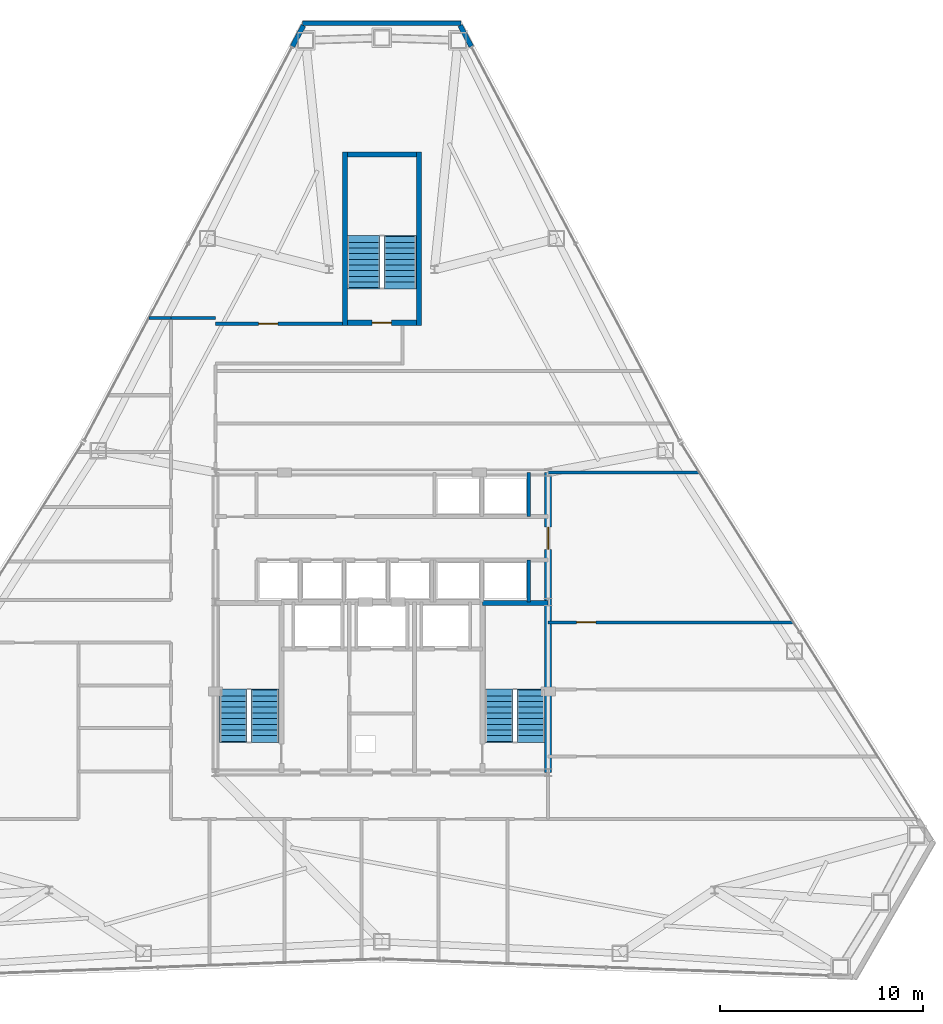
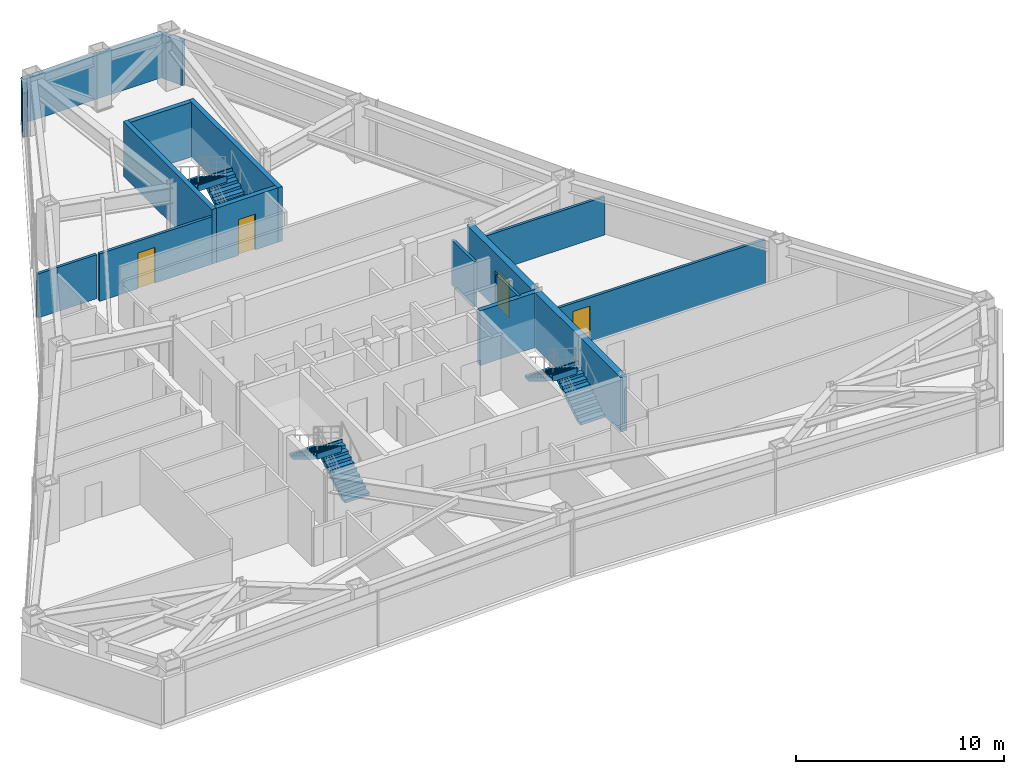
# One storey, part 12 of 13: 16 walls, 6 stair flights, 4 doors, 4 openings, 3 elements without a shape of their own.
"""IFC4 building model written with IfcOpenShell, lengths in metres."""

import ifcopenshell
import ifcopenshell.guid

model = None  # the IFC model being written
_history = None  # IfcOwnerHistory: only IFC2X3 demands one
_inside = {}  # id of a spatial element -> (the spatial element, [elements in it])
_under = {}  # id of a project, library or spatial element -> (it, [spatial elements below it])
_declared = {}  # id of a project -> (the project, [libraries it declares])
_typed = {}  # id of a type object -> (the type object, [elements of that type])
_made_of = {}  # id of a material, layer set ... -> (it, [elements and type objects made of it])


def new_model(schema):
    """Start an empty IFC model of exactly this schema.

    Asked for "IFC4X3", IfcOpenShell would pick the latest addendum, in which some entities
    have other attributes; the version numbers below select the first issue.
    IFC2X3 requires an IfcOwnerHistory on every rooted entity: one is made here for all.
    """
    global model, _history
    if schema == "IFC4X3":
        model = ifcopenshell.file(schema_version=(4, 3, 0, 0))
    else:
        model = ifcopenshell.file(schema=schema)
    _inside.clear()
    _under.clear()
    _declared.clear()
    _typed.clear()
    _made_of.clear()
    _history = None
    if model.schema == "IFC2X3":
        org = make("IfcOrganization", Name="unknown")
        user = make(
            "IfcPersonAndOrganization",
            ThePerson=make("IfcPerson", FamilyName="unknown"),
            TheOrganization=org,
        )
        app = make(
            "IfcApplication",
            ApplicationDeveloper=org,
            Version="unknown",
            ApplicationFullName="unknown",
            ApplicationIdentifier="unknown",
        )
        _history = make(
            "IfcOwnerHistory",
            OwningUser=user,
            OwningApplication=app,
            ChangeAction="ADDED",
            CreationDate=0,
        )
    return model


def make(cls, **values):
    """One entity of the class cls with the attributes given. An attribute that is None is left unset."""
    return model.create_entity(
        cls, **{name: value for name, value in values.items() if value is not None}
    )


def rooted(cls, **values):
    """An entity with a GlobalId (a new one), such as an element, a storey or a relation."""
    return make(cls, GlobalId=ifcopenshell.guid.new(), OwnerHistory=_history, **values)


def si_unit(unit_type, name, prefix=None):
    """IfcSIUnit, for example si_unit("LENGTHUNIT", "METRE", prefix="MILLI")."""
    return make("IfcSIUnit", UnitType=unit_type, Prefix=prefix, Name=name)


def assignment(units):
    """IfcUnitAssignment: the units of a project."""
    return None if units is None else make("IfcUnitAssignment", Units=units)


def point(xyz):
    """IfcCartesianPoint."""
    return None if xyz is None else make("IfcCartesianPoint", Coordinates=xyz)


def direction(xyz):
    """IfcDirection."""
    return None if xyz is None else make("IfcDirection", DirectionRatios=xyz)


def frame(location, z_axis=None, x_axis=None):
    """IfcAxis2Placement3D, a coordinate frame: its origin and axes. An axis left out is left unset."""
    return make(
        "IfcAxis2Placement3D",
        Location=point(location),
        Axis=direction(z_axis),
        RefDirection=direction(x_axis),
    )


def frame_2d(location, x_axis=None):
    """IfcAxis2Placement2D, a coordinate frame in the plane: its origin and x axis."""
    return make(
        "IfcAxis2Placement2D", Location=point(location), RefDirection=direction(x_axis)
    )


def origin():
    """The frame at (0, 0, 0) with its axes left unset."""
    return frame((0.0, 0.0, 0.0))


def place(relative_to, where):
    """IfcLocalPlacement: puts the frame where relative to a parent placement (None: the world)."""
    return make(
        "IfcLocalPlacement", PlacementRelTo=relative_to, RelativePlacement=where
    )


def context(
    kind, dimensions, precision=None, world=None, true_north=None, identifier=None
):
    """IfcGeometricRepresentationContext, for example the 3D "Model" context."""
    return make(
        "IfcGeometricRepresentationContext",
        ContextIdentifier=identifier,
        ContextType=kind,
        CoordinateSpaceDimension=dimensions,
        Precision=precision,
        WorldCoordinateSystem=world,
        TrueNorth=true_north,
    )


def subcontext(parent, identifier, kind, view, scale=None):
    """IfcGeometricRepresentationSubContext, for example "Body" below "Model"."""
    return make(
        "IfcGeometricRepresentationSubContext",
        ContextIdentifier=identifier,
        ContextType=kind,
        ParentContext=parent,
        TargetScale=scale,
        TargetView=view,
    )


def project(units=None, contexts=None):
    """IfcProject with its units and contexts."""
    return rooted(
        "IfcProject",
        Name="project",
        RepresentationContexts=contexts,
        UnitsInContext=assignment(units),
    )


def spatial(cls, under=None, at=None, **own):
    """A site, building, storey or space (cls), placed at a placement, below another one or the project."""
    s = rooted(cls, ObjectPlacement=at, **own)
    if under is not None:
        _under.setdefault(under.id(), (under, []))[1].append(s)
    return s


def polyline(points):
    """IfcPolyline through the points."""
    return make("IfcPolyline", Points=[point(p) for p in points])


def profile(cls, at=None, kind="AREA", **sizes):
    """A parametric profile (cls). Its sizes go by their IFC names, for example OverallWidth=200.0."""
    return make(cls, ProfileType=kind, Position=at, **sizes)


def rectangle(**sizes):
    """IfcRectangleProfileDef."""
    return profile("IfcRectangleProfileDef", **sizes)


def outline(outer, holes=None, kind="AREA"):
    """IfcArbitraryClosedProfileDef: a profile drawn as a closed curve; with holes, ...WithVoids."""
    if holes is None:
        return make("IfcArbitraryClosedProfileDef", ProfileType=kind, OuterCurve=outer)
    return make(
        "IfcArbitraryProfileDefWithVoids",
        ProfileType=kind,
        OuterCurve=outer,
        InnerCurves=holes,
    )


def extrude(swept, where, along, depth):
    """IfcExtrudedAreaSolid: the profile swept, set in the frame where, extruded along a direction by depth."""
    return make(
        "IfcExtrudedAreaSolid",
        SweptArea=swept,
        Position=where,
        ExtrudedDirection=direction(along),
        Depth=depth,
    )


def shape(context_of_items, identifier, shape_type, items):
    """IfcShapeRepresentation: the items that make up one representation, for example the "Body"."""
    return make(
        "IfcShapeRepresentation",
        ContextOfItems=context_of_items,
        RepresentationIdentifier=identifier,
        RepresentationType=shape_type,
        Items=items,
    )


def material(Name=None, Category=None):
    """IfcMaterial."""
    return make("IfcMaterial", Name=Name, Category=Category)


def layer(
    of_material, thickness, ventilated=None, Name=None, Category=None, Priority=None
):
    """IfcMaterialLayer: one layer of a wall or slab, of a material (None: an air gap)."""
    return make(
        "IfcMaterialLayer",
        Material=of_material,
        LayerThickness=thickness,
        IsVentilated=ventilated,
        Name=Name,
        Category=Category,
        Priority=Priority,
    )


def layer_set(layers, Name=None):
    """IfcMaterialLayerSet."""
    return make("IfcMaterialLayerSet", MaterialLayers=layers, LayerSetName=Name)


def made_of(thing, what):
    """Note that an element or type object is made of a material, layer set ...; save() writes the relation."""
    if what is not None:
        _made_of.setdefault(what.id(), (what, []))[1].append(thing)
    return thing


def type_object(cls, material=None, **own):
    """A type object (cls), such as IfcWallType, which elements share."""
    return made_of(rooted(cls, **own), material)


def element(
    cls,
    number,
    at=None,
    inside=None,
    cuts=None,
    type_object=None,
    material=None,
    context=None,
    identifier="Body",
    shape_type=None,
    held_by="IfcProductDefinitionShape",
    body=None,
    shapes=None,
    **own,
):
    """One element of the class cls, such as IfcWall. Its Tag is "e" and its number.

    at: its placement. inside: the storey or other place that contains it. cuts: it is an
    opening in that element (IfcRelVoidsElement). A single representation is given by context,
    identifier, shape_type and body (its items); several are given by shapes. held_by: the class
    of the entity that holds the representations. save() writes the other relations.
    """
    e = rooted(cls, Tag="e%d" % number, ObjectPlacement=at, **own)
    if body is not None:
        shapes = [shape(context, identifier, shape_type, body)]
    if shapes is not None:
        e.Representation = make(held_by, Representations=shapes)
    if inside is not None:
        _inside.setdefault(inside.id(), (inside, []))[1].append(e)
    if cuts is not None:
        rooted(
            "IfcRelVoidsElement", RelatingBuildingElement=cuts, RelatedOpeningElement=e
        )
    if type_object is not None:
        _typed.setdefault(type_object.id(), (type_object, []))[1].append(e)
    return made_of(e, material)


def fill(opening, filler):
    """IfcRelFillsElement: the door or window that sits in an opening."""
    return rooted(
        "IfcRelFillsElement",
        RelatingOpeningElement=opening,
        RelatedBuildingElement=filler,
    )


def aggregate(whole, parts):
    """IfcRelAggregates: a whole, such as a stair, and the parts it consists of."""
    return rooted("IfcRelAggregates", RelatingObject=whole, RelatedObjects=parts)


def save(model, path):
    """Write the relations noted so far, then the file.

    IfcRelAggregates (storeys below a building ...), IfcRelContainedInSpatialStructure (elements
    in a storey), IfcRelDefinesByType, IfcRelAssociatesMaterial and IfcRelDeclares: one each for
    every whole, place, type object, material and project.
    """
    for whole, parts in _under.values():
        aggregate(whole, parts)
    for where, things in _inside.values():
        rooted(
            "IfcRelContainedInSpatialStructure",
            RelatedElements=things,
            RelatingStructure=where,
        )
    for kind, things in _typed.values():
        rooted("IfcRelDefinesByType", RelatedObjects=things, RelatingType=kind)
    for what, things in _made_of.values():
        rooted("IfcRelAssociatesMaterial", RelatedObjects=things, RelatingMaterial=what)
    for by, libraries in _declared.values():
        rooted("IfcRelDeclares", RelatingContext=by, RelatedDefinitions=libraries)
    model.write(path)


model = new_model("IFC4")

# Units and contexts
model_context = context("Model", 3, precision=1e-05, world=origin(), true_north=direction((0.0, 1.0)))
body_context = subcontext(model_context, "Body", "Model", "MODEL_VIEW")
ifc_project = project(units=[si_unit("LENGTHUNIT", "METRE"), si_unit("AREAUNIT", "SQUARE_METRE"), si_unit("VOLUMEUNIT", "CUBIC_METRE"), si_unit("PLANEANGLEUNIT", "RADIAN"), si_unit("MASSUNIT", "GRAM", prefix="KILO")], contexts=[model_context])

# Site, building, storey
site_placement = place(None, origin())
site = spatial("IfcSite", under=ifc_project, at=site_placement, CompositionType="ELEMENT")
building_placement = place(site_placement, origin())
building = spatial("IfcBuilding", under=site, at=building_placement, Name="Varakhsha Concourse Tower", CompositionType="ELEMENT")
storey_placement = place(building_placement, frame((0.0, 0.0, 172.35009765625)))
storey = spatial("IfcBuildingStorey", under=building, at=storey_placement, Name="L49", CompositionType="ELEMENT", Elevation=172.35009765625)

# Wall, opening, door
ifc_material_1 = material(Name="Concrete fc 65 MPa", Category="concrete")
ifc_layer_1 = layer(ifc_material_1, 0.35009765625, Name="WL-CORE-350")
ifc_layer_set_1 = layer_set([ifc_layer_1], Name="Concrete fc 65 MPa")
wall_type_1 = type_object("IfcWallType", Name="WL-CORE-350", PredefinedType="SHEAR", material=ifc_layer_set_1)
wall_1_placement = place(storey_placement, frame((48.199951171875, 16.39990234375, 0.0), z_axis=(0.0, 0.0, 1.0), x_axis=(0.0, 1.0, 0.0)))
wall_1 = element("IfcWall", 1, at=wall_1_placement, inside=storey, type_object=wall_type_1, Name="L49 Wall CWALL-E-L49", PredefinedType="SHEAR", context=body_context, shape_type="SweptSolid", body=[
    extrude(rectangle(XDim=14.800048828125, YDim=0.35009765625, at=frame_2d((7.39990234375, 0.0))), origin(), (0.0, 0.0, 1.0), 3.2099609375),
])
opening_1_placement = place(wall_1_placement, frame((11.0, 0.0, 0.0)))
opening_1 = element("IfcOpeningElement", 2, at=opening_1_placement, cuts=wall_1, Name="Opening DL-01", PredefinedType="OPENING", context=body_context, shape_type="SweptSolid", body=[
    extrude(rectangle(XDim=1.10009765625, YDim=2.14990234375, at=frame_2d((0.550048828125, 1.074951171875))), frame((0.0, 0.18505859375, 0.0), z_axis=(0.0, -1.0, 0.0), x_axis=(1.0, 0.0, 0.0)), (0.0, 0.0, 1.0), 0.3701171875),
])
ifc_material_2 = material(Name="Anodised Bronze Architectural Aluminium AA 6063-T6", Category="aluminium")
door_type_1 = type_object("IfcDoorType", Name="DR-LOB-1100", OperationType="NOTDEFINED", PredefinedType="DOOR", material=ifc_material_2)
door_1_placement = place(opening_1_placement, origin())
door_1 = element("IfcDoor", 3, at=door_1_placement, inside=storey, type_object=door_type_1, Name="L49 Lift Lobby East Concourse Door", OperationType="SINGLE_SWING_RIGHT", OverallHeight=2.14990234375, OverallWidth=1.10009765625, PredefinedType="DOOR", context=body_context, shape_type="SweptSolid", body=[
    extrude(rectangle(XDim=1.10009765625, YDim=2.14990234375, at=frame_2d((0.550048828125, 1.074951171875))), frame((0.0, 0.02490234375, 0.0), z_axis=(0.0, -1.0, 0.0), x_axis=(1.0, 0.0, 0.0)), (0.0, 0.0, 1.0), 0.050048828125),
])
fill(opening_1, door_1)

# Walls
ifc_material_3 = material(Name="Concrete fc 45 MPa", Category="concrete")
ifc_layer_2 = layer(ifc_material_3, 0.239990234375, Name="WL-EXT-CRN-240")
ifc_layer_set_2 = layer_set([ifc_layer_2], Name="Concrete fc 45 MPa")
wall_type_2 = type_object("IfcWallType", Name="WL-EXT-CRN-240", PredefinedType="SHEAR", material=ifc_layer_set_2)
wall_2_placement = place(storey_placement, frame((36.10009765625, 53.33837890625, 0.0), z_axis=(0.0, 0.0, 1.0), x_axis=(1.0, 0.0, 0.0)))
element("IfcWall", 4, at=wall_2_placement, inside=storey, type_object=wall_type_2, Name="L49 Chamfer Wind-Corner Insulated Wall F1", PredefinedType="SHEAR", context=body_context, shape_type="SweptSolid", body=[
    extrude(rectangle(XDim=7.7998046875, YDim=0.239990234375, at=frame_2d((3.89990234375, 0.0))), origin(), (0.0, 0.0, 1.0), 2.5830078125),
])
for number, where, z_axis, x_axis, name in (
    (5, (36.138671875, 53.22900390625, 0.0), (0.0, 0.0, 1.0), (-0.467176557234, -0.884164048337, 0.0), "L49 Wind-Corner Shoulder Wall F2"),
    (6, (44.40673828125, 52.19677734375, 0.0), (0.0, 0.0, 1.0), (-0.467176557234, 0.884164048337, 0.0), "L49 Wind-Corner Shoulder Wall F9"),
):
    element("IfcWall", number, at=place(storey_placement, frame(where, z_axis=z_axis, x_axis=x_axis)), inside=storey, type_object=wall_type_2, Name=name, PredefinedType="SHEAR", context=body_context, shape_type="SweptSolid", body=[
        extrude(rectangle(XDim=1.16748046875, YDim=0.239990234375, at=frame_2d((0.583740234375, 0.0))), origin(), (0.0, 0.0, 1.0), 2.5830078125),
    ])
ifc_material_4 = material(Name="Fire-Rated Type X Gypsum Partition Assembly", Category="gypsum")
ifc_layer_3 = layer(ifc_material_4, 0.14990234375, Name="WL-PART-150")
ifc_layer_set_3 = layer_set([ifc_layer_3], Name="Fire-Rated Type X Gypsum Partition Assembly")
wall_type_3 = type_object("IfcWallType", Name="WL-PART-150", PredefinedType="PARTITIONING", material=ifc_layer_set_3)
wall_3_placement = place(storey_placement, frame((29.60009765625, 38.800048828125, 0.0), z_axis=(0.0, 0.0, 1.0), x_axis=(1.0, 0.0, 0.0)))
element("IfcWall", 7, at=wall_3_placement, inside=storey, type_object=wall_type_3, Name="L49 Wall CRW-NCAP-L49", PredefinedType="PARTITIONING", context=body_context, shape_type="SweptSolid", body=[
    extrude(rectangle(XDim=2.199951171875, YDim=0.14990234375, at=frame_2d((1.10009765625, 0.0))), origin(), (0.0, 0.0, 1.0), 2.5888671875),
])
wall_4_placement = place(storey_placement, frame((28.51806640625, 38.800048828125, 0.0), z_axis=(0.0, 0.0, 1.0), x_axis=(1.0, 0.0, 0.0)))
element("IfcWall", 8, at=wall_4_placement, inside=storey, type_object=wall_type_3, Name="L49 Wall ODIV-NWT-L49", PredefinedType="PARTITIONING", context=body_context, shape_type="SweptSolid", body=[
    extrude(rectangle(XDim=1.08203125, YDim=0.14990234375, at=frame_2d((0.541015625, 0.0))), origin(), (0.0, 0.0, 1.0), 2.5888671875),
])
wall_5_placement = place(storey_placement, frame((48.199951171875, 31.199951171875, 0.0), z_axis=(0.0, 0.0, 1.0), x_axis=(1.0, 0.0, 0.0)))
element("IfcWall", 9, at=wall_5_placement, inside=storey, type_object=wall_type_3, Name="L49 Wall ODIV-NEB-L49", PredefinedType="PARTITIONING", context=body_context, shape_type="SweptSolid", body=[
    extrude(rectangle(XDim=7.44775390625, YDim=0.14990234375, at=frame_2d((3.723876953125, 0.0))), origin(), (0.0, 0.0, 1.0), 2.251953125),
])

# Wall, opening, door
wall_6_placement = place(storey_placement, frame((48.199951171875, 23.800048828125, 0.0), z_axis=(0.0, 0.0, 1.0), x_axis=(1.0, 0.0, 0.0)))
wall_6 = element("IfcWall", 10, at=wall_6_placement, inside=storey, type_object=wall_type_3, Name="L49 Wall ODIV-E3-L49", PredefinedType="PARTITIONING", context=body_context, shape_type="SweptSolid", body=[
    extrude(rectangle(XDim=12.097412109375, YDim=0.14990234375, at=frame_2d((6.048828125, 0.0))), origin(), (0.0, 0.0, 1.0), 2.5888671875),
])
opening_2_placement = place(wall_6_placement, frame((1.39990234375, 0.0, 0.0)))
opening_2 = element("IfcOpeningElement", 11, at=opening_2_placement, cuts=wall_6, Name="Opening DF-05", PredefinedType="OPENING", context=body_context, shape_type="SweptSolid", body=[
    extrude(rectangle(XDim=0.949951171875, YDim=2.10009765625, at=frame_2d((0.47509765625, 1.050048828125))), frame((0.0, 0.0849609375, 0.0), z_axis=(0.0, -1.0, 0.0), x_axis=(1.0, 0.0, 0.0)), (0.0, 0.0, 1.0), 0.169921875),
])
ifc_material_5 = material(Name="Hollow Galvanised Steel Fire Door Assembly", Category="steel")
door_type_2 = type_object("IfcDoorType", Name="DR-FD60-950", OperationType="NOTDEFINED", PredefinedType="DOOR", material=ifc_material_5)
door_2_placement = place(opening_2_placement, origin())
door_2 = element("IfcDoor", 12, at=door_2_placement, inside=storey, type_object=door_type_2, Name="L49 East Suite Interconnect Door 3", OperationType="SINGLE_SWING_LEFT", OverallHeight=2.10009765625, OverallWidth=0.949951171875, PredefinedType="DOOR", context=body_context, shape_type="SweptSolid", body=[
    extrude(rectangle(XDim=0.949951171875, YDim=2.10009765625, at=frame_2d((0.47509765625, 1.050048828125))), frame((0.0, 0.02490234375, 0.0), z_axis=(0.0, -1.0, 0.0), x_axis=(1.0, 0.0, 0.0)), (0.0, 0.0, 1.0), 0.050048828125),
])
fill(opening_2, door_2)

wall_7_placement = place(storey_placement, frame((31.800048828125, 38.52490234375, 0.0), z_axis=(0.0, 0.0, 1.0), x_axis=(1.0, 0.0, 0.0)))
wall_7 = element("IfcWall", 13, at=wall_7_placement, inside=storey, type_object=wall_type_3, Name="L49 Wall STLK-N-L49", PredefinedType="PARTITIONING", context=body_context, shape_type="SweptSolid", body=[
    extrude(rectangle(XDim=6.25, YDim=0.14990234375, at=frame_2d((3.125, 0.0))), origin(), (0.0, 0.0, 1.0), 2.79296875),
])
opening_3_placement = place(wall_7_placement, frame((2.125, 0.0, 0.0)))
opening_3 = element("IfcOpeningElement", 14, at=opening_3_placement, cuts=wall_7, Name="Opening DF-05", PredefinedType="OPENING", context=body_context, shape_type="SweptSolid", body=[
    extrude(rectangle(XDim=0.949951171875, YDim=2.10009765625, at=frame_2d((0.47509765625, 1.050048828125))), frame((0.0, 0.0849609375, 0.0), z_axis=(0.0, -1.0, 0.0), x_axis=(1.0, 0.0, 0.0)), (0.0, 0.0, 1.0), 0.169921875),
])
door_3_placement = place(opening_3_placement, origin())
door_3 = element("IfcDoor", 15, at=door_3_placement, inside=storey, type_object=door_type_2, Name="L49 Apex Senior Partner Chamber L49-NE3 Door", OperationType="SINGLE_SWING_RIGHT", OverallHeight=2.10009765625, OverallWidth=0.949951171875, PredefinedType="DOOR", context=body_context, shape_type="SweptSolid", body=[
    extrude(rectangle(XDim=0.949951171875, YDim=2.10009765625, at=frame_2d((0.47509765625, 1.050048828125))), frame((0.0, 0.02490234375, 0.0), z_axis=(0.0, -1.0, 0.0), x_axis=(1.0, 0.0, 0.0)), (0.0, 0.0, 1.0), 0.050048828125),
])
fill(opening_3, door_3)

# Walls
ifc_layer_4 = layer(ifc_material_4, 0.199951171875, Name="WL-SHAFT-220")
ifc_layer_set_4 = layer_set([ifc_layer_4], Name="Fire-Rated Type X Gypsum Partition Assembly")
wall_type_4 = type_object("IfcWallType", Name="WL-SHAFT-220", PredefinedType="SOLIDWALL", material=ifc_layer_set_4)
wall_8_placement = place(storey_placement, frame((47.239990234375, 29.02001953125, 0.0), z_axis=(0.0, 0.0, 1.0), x_axis=(0.0, 1.0, 0.0)))
element("IfcWall", 16, at=wall_8_placement, inside=storey, type_object=wall_type_4, Name="L49 Wall SHW-LF-P10-E-L49", PredefinedType="SOLIDWALL", context=body_context, shape_type="SweptSolid", body=[
    extrude(rectangle(XDim=2.179931640625, YDim=0.159912109375, at=frame_2d((1.08984375, 0.0))), origin(), (0.0, 0.0, 1.0), 2.664794921875),
])
wall_9_placement = place(storey_placement, frame((47.239990234375, 24.800048828125, 0.0), z_axis=(0.0, 0.0, 1.0), x_axis=(0.0, 1.0, 0.0)))
element("IfcWall", 17, at=wall_9_placement, inside=storey, type_object=wall_type_4, Name="L49 Wall SHW-LF-P12-E-L49", PredefinedType="SOLIDWALL", context=body_context, shape_type="SweptSolid", body=[
    extrude(rectangle(XDim=2.079833984375, YDim=0.159912109375, at=frame_2d((1.0400390625, 0.0))), origin(), (0.0, 0.0, 1.0), 3.2099609375),
])
ifc_layer_5 = layer(ifc_material_3, 0.25, Name="WL-STAIR-250")
ifc_layer_set_5 = layer_set([ifc_layer_5], Name="Concrete fc 45 MPa")
wall_type_5 = type_object("IfcWallType", Name="WL-STAIR-250", PredefinedType="SHEAR", material=ifc_layer_set_5)
wall_10_placement = place(storey_placement, frame((44.955078125, 24.7548828125, 0.0), z_axis=(0.0, 0.0, 1.0), x_axis=(1.0, 0.0, 0.0)))
element("IfcWall", 18, at=wall_10_placement, inside=storey, type_object=wall_type_5, Name="L49 Wall SWALL-ST2-N-L49", PredefinedType="SHEAR", context=body_context, shape_type="SweptSolid", body=[
    extrude(rectangle(XDim=3.244873046875, YDim=0.25, at=frame_2d((1.62255859375, 0.0))), origin(), (0.0, 0.0, 1.0), 3.2099609375),
])
for number, where, z_axis, x_axis, name in (
    (19, (38.175048828125, 38.449951171875, 0.0), (0.0, 0.0, 1.0), (0.0, 1.0, 0.0), "L49 Wall SWALL-ST5-W-L49"),
    (20, (41.824951171875, 38.449951171875, 0.0), (0.0, 0.0, 1.0), (0.0, 1.0, 0.0), "L49 Wall SWALL-ST5-E-L49"),
):
    element("IfcWall", number, at=place(storey_placement, frame(where, z_axis=z_axis, x_axis=x_axis)), inside=storey, type_object=wall_type_5, Name=name, PredefinedType="SHEAR", context=body_context, shape_type="SweptSolid", body=[
        extrude(rectangle(XDim=8.550048828125, YDim=0.25, at=frame_2d((4.27490234375, 0.0))), origin(), (0.0, 0.0, 1.0), 3.2099609375),
    ])

# Wall, opening, door
wall_11_placement = place(storey_placement, frame((38.300048828125, 38.574951171875, 0.0), z_axis=(0.0, 0.0, 1.0), x_axis=(1.0, 0.0, 0.0)))
wall_11 = element("IfcWall", 21, at=wall_11_placement, inside=storey, type_object=wall_type_5, Name="L49 Wall SWALL-ST5-S-L49", PredefinedType="SHEAR", context=body_context, shape_type="SweptSolid", body=[
    extrude(rectangle(XDim=3.39990234375, YDim=0.25, at=frame_2d((1.699951171875, 0.0))), origin(), (0.0, 0.0, 1.0), 3.2099609375),
])
opening_4_placement = place(wall_11_placement, frame((1.22509765625, 0.0, 0.0)))
opening_4 = element("IfcOpeningElement", 22, at=opening_4_placement, cuts=wall_11, Name="Opening DF-03", PredefinedType="OPENING", context=body_context, shape_type="SweptSolid", body=[
    extrude(rectangle(XDim=0.949951171875, YDim=2.10009765625, at=frame_2d((0.47509765625, 1.050048828125))), frame((0.0, 0.135009765625, 0.0), z_axis=(0.0, -1.0, 0.0), x_axis=(1.0, 0.0, 0.0)), (0.0, 0.0, 1.0), 0.27001953125),
])
door_type_3 = type_object("IfcDoorType", Name="DR-FD90-950", OperationType="NOTDEFINED", PredefinedType="DOOR", material=ifc_material_5)
door_4_placement = place(opening_4_placement, origin())
door_4 = element("IfcDoor", 23, at=door_4_placement, inside=storey, type_object=door_type_3, Name="L49 Stair ST5 Fire Door", OperationType="SINGLE_SWING_RIGHT", OverallHeight=2.10009765625, OverallWidth=0.949951171875, PredefinedType="DOOR", context=body_context, shape_type="SweptSolid", body=[
    extrude(rectangle(XDim=0.949951171875, YDim=2.10009765625, at=frame_2d((0.47509765625, 1.050048828125))), frame((0.0, 0.02490234375, 0.0), z_axis=(0.0, -1.0, 0.0), x_axis=(1.0, 0.0, 0.0)), (0.0, 0.0, 1.0), 0.050048828125),
])
fill(opening_4, door_4)

# Wall
wall_12_placement = place(storey_placement, frame((38.300048828125, 46.875, 0.0), z_axis=(0.0, 0.0, 1.0), x_axis=(1.0, 0.0, 0.0)))
element("IfcWall", 24, at=wall_12_placement, inside=storey, type_object=wall_type_5, Name="L49 Wall SWALL-ST5-N-L49", PredefinedType="SHEAR", context=body_context, shape_type="SweptSolid", body=[
    extrude(rectangle(XDim=3.39990234375, YDim=0.25, at=frame_2d((1.699951171875, 0.0))), origin(), (0.0, 0.0, 1.0), 3.2099609375),
])

# Stair, stair flights
stair_type_1 = type_object("IfcStairType", Name="ST-DOGLEG-1360", PredefinedType="HALF_TURN_STAIR", material=ifc_material_3)
stair_1_placement = place(storey_placement, origin())
stair_1 = element("IfcStair", 25, at=stair_1_placement, inside=storey, type_object=stair_type_1, Name="L49 Protected Exit Stair ST1", PredefinedType="HALF_TURN_STAIR")
stair_flight_type_1 = type_object("IfcStairFlightType", Name="STF-1360-R1725", PredefinedType="STRAIGHT", material=ifc_material_3)
stair_flight_1_placement = place(storey_placement, frame((34.239990234375, 17.93994140625, 0.0), z_axis=(0.0, 0.0, 1.0), x_axis=(0.0, 1.0, 0.0)))
stair_flight_1 = element("IfcStairFlight", 26, at=stair_flight_1_placement, type_object=stair_flight_type_1, Name="ST1 flight 1", NumberOfRisers=10, NumberOfTreads=9, PredefinedType="STRAIGHT", RiserHeight=0.1725, TreadLength=0.28, context=body_context, shape_type="SweptSolid", body=[
    extrude(outline(polyline([(-0.06005859375, 0.0), (-0.06005859375, 0.172607421875), (0.0, 0.172607421875), (0.280029296875, 0.172607421875), (0.280029296875, 0.344970703125), (0.56005859375, 0.344970703125), (0.56005859375, 0.517578125), (0.840087890625, 0.517578125), (0.840087890625, 0.68994140625), (1.1201171875, 0.68994140625), (1.1201171875, 0.862548828125), (1.39990234375, 0.862548828125), (1.39990234375, 1.034912109375), (1.679931640625, 1.034912109375), (1.679931640625, 1.20751953125), (1.9599609375, 1.20751953125), (1.9599609375, 1.3798828125), (2.239990234375, 1.3798828125), (2.239990234375, 1.552490234375), (2.52001953125, 1.552490234375), (2.52001953125, 1.72509765625), (2.580078125, 1.72509765625), (2.580078125, 1.37646484375), (2.52001953125, 1.37646484375), (0.285888671875, 0.0), (-0.06005859375, 0.0)])), frame((0.0, 0.68017578125, 0.0), z_axis=(0.0, -1.0, 0.0), x_axis=(1.0, 0.0, 0.0)), (0.0, 0.0, 1.0), 1.360107421875),
])
stair_flight_2_placement = place(storey_placement, frame((32.679931640625, 20.4599609375, 1.724853515625), z_axis=(0.0, 0.0, 1.0), x_axis=(0.0, -1.0, 0.0)))
stair_flight_2 = element("IfcStairFlight", 27, at=stair_flight_2_placement, type_object=stair_flight_type_1, Name="ST1 flight 2", NumberOfRisers=10, NumberOfTreads=9, PredefinedType="STRAIGHT", RiserHeight=0.1725, TreadLength=0.28, context=body_context, shape_type="SweptSolid", body=[
    extrude(outline(polyline([(-0.06005859375, 0.0), (-0.06005859375, 0.172607421875), (0.0, 0.172607421875), (0.280029296875, 0.172607421875), (0.280029296875, 0.344970703125), (0.56005859375, 0.344970703125), (0.56005859375, 0.517578125), (0.840087890625, 0.517578125), (0.840087890625, 0.68994140625), (1.1201171875, 0.68994140625), (1.1201171875, 0.862548828125), (1.39990234375, 0.862548828125), (1.39990234375, 1.034912109375), (1.679931640625, 1.034912109375), (1.679931640625, 1.20751953125), (1.9599609375, 1.20751953125), (1.9599609375, 1.3798828125), (2.239990234375, 1.3798828125), (2.239990234375, 1.552490234375), (2.52001953125, 1.552490234375), (2.52001953125, 1.72509765625), (2.580078125, 1.72509765625), (2.580078125, 1.37646484375), (2.52001953125, 1.37646484375), (0.285888671875, 0.0), (-0.06005859375, 0.0)])), frame((0.0, 0.68017578125, 0.0), z_axis=(0.0, -1.0, 0.0), x_axis=(1.0, 0.0, 0.0)), (0.0, 0.0, 1.0), 1.360107421875),
])
aggregate(stair_1, [stair_flight_1, stair_flight_2])

stair_2_placement = place(storey_placement, origin())
stair_2 = element("IfcStair", 28, at=stair_2_placement, inside=storey, type_object=stair_type_1, Name="L49 Protected Exit Stair ST2", PredefinedType="HALF_TURN_STAIR")
stair_flight_3_placement = place(storey_placement, frame((47.340087890625, 17.93994140625, 0.0), z_axis=(0.0, 0.0, 1.0), x_axis=(0.0, 1.0, 0.0)))
stair_flight_3 = element("IfcStairFlight", 29, at=stair_flight_3_placement, type_object=stair_flight_type_1, Name="ST2 flight 1", NumberOfRisers=10, NumberOfTreads=9, PredefinedType="STRAIGHT", RiserHeight=0.1725, TreadLength=0.28, context=body_context, shape_type="SweptSolid", body=[
    extrude(outline(polyline([(-0.06005859375, 0.0), (-0.06005859375, 0.172607421875), (0.0, 0.172607421875), (0.280029296875, 0.172607421875), (0.280029296875, 0.344970703125), (0.56005859375, 0.344970703125), (0.56005859375, 0.517578125), (0.840087890625, 0.517578125), (0.840087890625, 0.68994140625), (1.1201171875, 0.68994140625), (1.1201171875, 0.862548828125), (1.39990234375, 0.862548828125), (1.39990234375, 1.034912109375), (1.679931640625, 1.034912109375), (1.679931640625, 1.20751953125), (1.9599609375, 1.20751953125), (1.9599609375, 1.3798828125), (2.239990234375, 1.3798828125), (2.239990234375, 1.552490234375), (2.52001953125, 1.552490234375), (2.52001953125, 1.72509765625), (2.580078125, 1.72509765625), (2.580078125, 1.37646484375), (2.52001953125, 1.37646484375), (0.285888671875, 0.0), (-0.06005859375, 0.0)])), frame((0.0, 0.68017578125, 0.0), z_axis=(0.0, -1.0, 0.0), x_axis=(1.0, 0.0, 0.0)), (0.0, 0.0, 1.0), 1.360107421875),
])
stair_flight_4_placement = place(storey_placement, frame((45.780029296875, 20.4599609375, 1.724853515625), z_axis=(0.0, 0.0, 1.0), x_axis=(0.0, -1.0, 0.0)))
stair_flight_4 = element("IfcStairFlight", 30, at=stair_flight_4_placement, type_object=stair_flight_type_1, Name="ST2 flight 2", NumberOfRisers=10, NumberOfTreads=9, PredefinedType="STRAIGHT", RiserHeight=0.1725, TreadLength=0.28, context=body_context, shape_type="SweptSolid", body=[
    extrude(outline(polyline([(-0.06005859375, 0.0), (-0.06005859375, 0.172607421875), (0.0, 0.172607421875), (0.280029296875, 0.172607421875), (0.280029296875, 0.344970703125), (0.56005859375, 0.344970703125), (0.56005859375, 0.517578125), (0.840087890625, 0.517578125), (0.840087890625, 0.68994140625), (1.1201171875, 0.68994140625), (1.1201171875, 0.862548828125), (1.39990234375, 0.862548828125), (1.39990234375, 1.034912109375), (1.679931640625, 1.034912109375), (1.679931640625, 1.20751953125), (1.9599609375, 1.20751953125), (1.9599609375, 1.3798828125), (2.239990234375, 1.3798828125), (2.239990234375, 1.552490234375), (2.52001953125, 1.552490234375), (2.52001953125, 1.72509765625), (2.580078125, 1.72509765625), (2.580078125, 1.37646484375), (2.52001953125, 1.37646484375), (0.285888671875, 0.0), (-0.06005859375, 0.0)])), frame((0.0, 0.68017578125, 0.0), z_axis=(0.0, -1.0, 0.0), x_axis=(1.0, 0.0, 0.0)), (0.0, 0.0, 1.0), 1.360107421875),
])
aggregate(stair_2, [stair_flight_3, stair_flight_4])

stair_type_2 = type_object("IfcStairType", Name="ST-DOGLEG-1600", PredefinedType="HALF_TURN_STAIR", material=ifc_material_3)
stair_3_placement = place(storey_placement, origin())
stair_3 = element("IfcStair", 31, at=stair_3_placement, inside=storey, type_object=stair_type_2, Name="L49 Protected Exit Stair ST5", PredefinedType="HALF_TURN_STAIR")
stair_flight_type_2 = type_object("IfcStairFlightType", Name="STF-1600-R1725", PredefinedType="STRAIGHT", material=ifc_material_3)
stair_flight_5_placement = place(storey_placement, frame((40.89990234375, 40.300048828125, 0.0), z_axis=(0.0, 0.0, 1.0), x_axis=(0.0, 1.0, 0.0)))
stair_flight_5 = element("IfcStairFlight", 32, at=stair_flight_5_placement, type_object=stair_flight_type_2, Name="ST5 flight 1", NumberOfRisers=10, NumberOfTreads=9, PredefinedType="STRAIGHT", RiserHeight=0.1725, TreadLength=0.28, context=body_context, shape_type="SweptSolid", body=[
    extrude(outline(polyline([(-0.06005859375, 0.0), (-0.06005859375, 0.172607421875), (0.0, 0.172607421875), (0.280029296875, 0.172607421875), (0.280029296875, 0.344970703125), (0.56005859375, 0.344970703125), (0.56005859375, 0.517578125), (0.840087890625, 0.517578125), (0.840087890625, 0.68994140625), (1.1201171875, 0.68994140625), (1.1201171875, 0.862548828125), (1.39990234375, 0.862548828125), (1.39990234375, 1.034912109375), (1.679931640625, 1.034912109375), (1.679931640625, 1.20751953125), (1.9599609375, 1.20751953125), (1.9599609375, 1.3798828125), (2.239990234375, 1.3798828125), (2.239990234375, 1.552490234375), (2.52001953125, 1.552490234375), (2.52001953125, 1.72509765625), (2.580078125, 1.72509765625), (2.580078125, 1.37646484375), (2.52001953125, 1.37646484375), (0.285888671875, 0.0), (-0.06005859375, 0.0)])), frame((0.0, 0.800048828125, 0.0), z_axis=(0.0, -1.0, 0.0), x_axis=(1.0, 0.0, 0.0)), (0.0, 0.0, 1.0), 1.60009765625),
])
stair_flight_6_placement = place(storey_placement, frame((39.10009765625, 42.820068359375, 1.724853515625), z_axis=(0.0, 0.0, 1.0), x_axis=(0.0, -1.0, 0.0)))
stair_flight_6 = element("IfcStairFlight", 33, at=stair_flight_6_placement, type_object=stair_flight_type_2, Name="ST5 flight 2", NumberOfRisers=10, NumberOfTreads=9, PredefinedType="STRAIGHT", RiserHeight=0.1725, TreadLength=0.28, context=body_context, shape_type="SweptSolid", body=[
    extrude(outline(polyline([(-0.06005859375, 0.0), (-0.06005859375, 0.172607421875), (0.0, 0.172607421875), (0.280029296875, 0.172607421875), (0.280029296875, 0.344970703125), (0.56005859375, 0.344970703125), (0.56005859375, 0.517578125), (0.840087890625, 0.517578125), (0.840087890625, 0.68994140625), (1.1201171875, 0.68994140625), (1.1201171875, 0.862548828125), (1.39990234375, 0.862548828125), (1.39990234375, 1.034912109375), (1.679931640625, 1.034912109375), (1.679931640625, 1.20751953125), (1.9599609375, 1.20751953125), (1.9599609375, 1.3798828125), (2.239990234375, 1.3798828125), (2.239990234375, 1.552490234375), (2.52001953125, 1.552490234375), (2.52001953125, 1.72509765625), (2.580078125, 1.72509765625), (2.580078125, 1.37646484375), (2.52001953125, 1.37646484375), (0.285888671875, 0.0), (-0.06005859375, 0.0)])), frame((0.0, 0.800048828125, 0.0), z_axis=(0.0, -1.0, 0.0), x_axis=(1.0, 0.0, 0.0)), (0.0, 0.0, 1.0), 1.60009765625),
])
aggregate(stair_3, [stair_flight_5, stair_flight_6])

save(model, "model.ifc")
